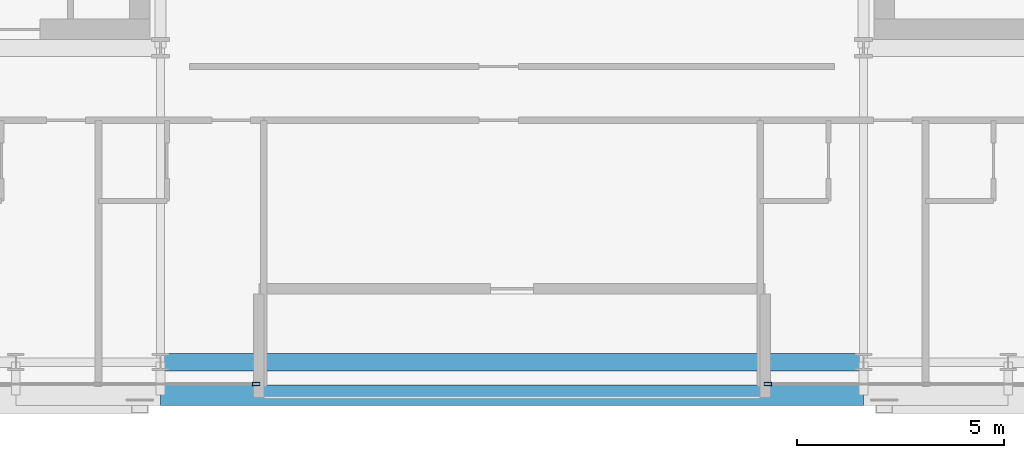
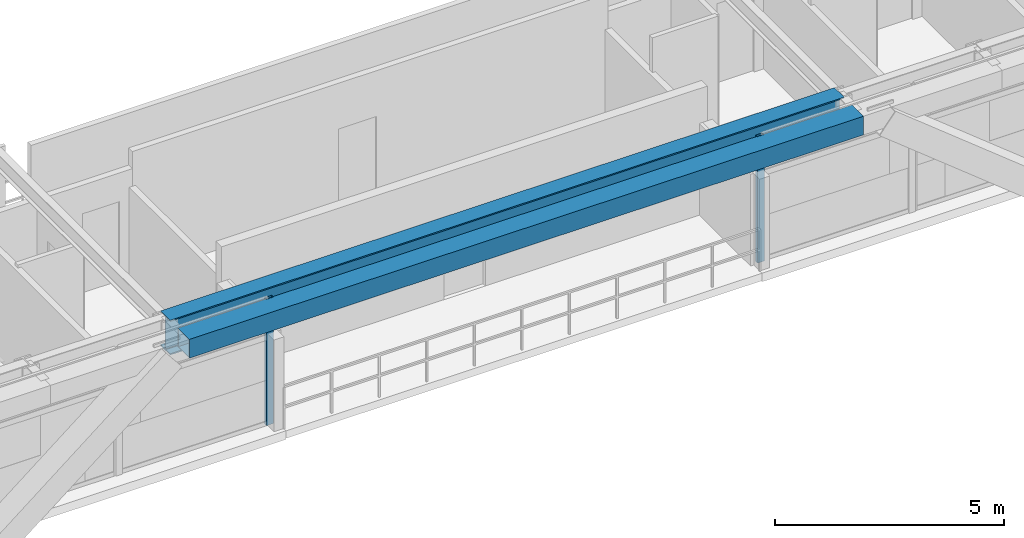
# One storey, part 7 of 38: 2 beams, 2 members, 2 elements without a shape of their own.
"""IFC4 building model written with IfcOpenShell, lengths in metres."""

from ifc_helpers import new_model, si_unit, direction, frame, origin, origin_2d, place, context, subcontext, project, spatial, hollow_rectangle, i_section, extrude, source, transform, mapped, material, layer, layer_set, material_profile, profile_set, type_object, element, aggregate, save


model = new_model("IFC4")

# Units and contexts
model_context = context("Model", 3, precision=1e-05, world=origin(), true_north=direction((0.0, 1.0)))
body_context = subcontext(model_context, "Body", "Model", "MODEL_VIEW")
ifc_project = project(units=[si_unit("LENGTHUNIT", "METRE"), si_unit("AREAUNIT", "SQUARE_METRE"), si_unit("VOLUMEUNIT", "CUBIC_METRE"), si_unit("PLANEANGLEUNIT", "RADIAN"), si_unit("MASSUNIT", "GRAM", prefix="KILO")], contexts=[model_context])

# Site, building, storey
site_placement = place(None, origin())
site = spatial("IfcSite", under=ifc_project, at=site_placement, CompositionType="ELEMENT")
building_placement = place(site_placement, origin())
building = spatial("IfcBuilding", under=site, at=building_placement, Name="Ocotamira Hotel", CompositionType="ELEMENT")
storey_placement = place(building_placement, frame((0.0, 0.0, 170.39990234375)))
storey = spatial("IfcBuildingStorey", under=building, at=storey_placement, Name="L42", CompositionType="ELEMENT", Elevation=170.39990234375)

# Beams
ifc_material_1 = material(Name="Steel ASTM A992 Grade 50", Category="steel")
ifc_material_profile_1 = material_profile(ifc_material_1, i_section(OverallWidth=0.41796875, OverallDepth=0.927001953125, WebThickness=0.019287109375, FlangeThickness=0.031982421875, FilletRadius=0.02392578125, at=origin_2d()), Name="W36X231")
ifc_profile_set_1 = profile_set([ifc_material_profile_1], Name="Steel ASTM A992 Grade 50")
beam_type_1 = type_object("IfcBeamType", Name="BM-GIRD-W36X231", PredefinedType="BEAM", material=ifc_profile_set_1)
shared_shape_1 = source(origin(), body_context, "Body", "SweptSolid", [
    extrude(i_section(OverallWidth=0.41796875, OverallDepth=0.927001953125, WebThickness=0.019287109375, FlangeThickness=0.031982421875, FilletRadius=0.02392578125, at=origin_2d()), origin(), (0.0, 0.0, 1.0), 17.0),
])
beam_1_placement = place(storey_placement, frame((23.5, 6.949951171875, 2.906494140625), z_axis=(1.0, 0.0, 0.0), x_axis=(0.0, 1.0, 0.0)))
element("IfcBeam", 1, at=beam_1_placement, inside=storey, type_object=beam_type_1, Name="L42 Girder Y6.95 X23.5-40.5", PredefinedType="BEAM", context=body_context, shape_type="MappedRepresentation", body=[
    mapped(shared_shape_1, transform((0.0, 0.0, 0.0), scale=1.0)),
])
ifc_material_2 = material(Name="Steel ASTM A500 Grade C", Category="steel")
ifc_material_profile_2 = material_profile(ifc_material_2, hollow_rectangle(XDim=0.5, YDim=0.5, WallThickness=0.02001953125, at=origin_2d()), Name="HSS500X500X20")
ifc_profile_set_2 = profile_set([ifc_material_profile_2], Name="Steel ASTM A500 Grade C")
beam_type_2 = type_object("IfcBeamType", Name="BM-SPAN-HSS500", PredefinedType="USERDEFINED", material=ifc_profile_set_2)
shared_shape_2 = source(origin(), body_context, "Body", "SweptSolid", [
    extrude(hollow_rectangle(XDim=0.5, YDim=0.5, WallThickness=0.02001953125, at=origin_2d()), origin(), (0.0, 0.0, 1.0), 17.0),
])
beam_2_placement = place(storey_placement, frame((23.5, 6.14990234375, 3.1201171875), z_axis=(1.0, 0.0, 0.0), x_axis=(0.0, 1.0, 0.0)))
element("IfcBeam", 2, at=beam_2_placement, inside=storey, type_object=beam_type_2, Name="L42 Edge Spandrel S X23.5-40.5", ObjectType="SPANDREL", PredefinedType="USERDEFINED", context=body_context, shape_type="MappedRepresentation", body=[
    mapped(shared_shape_2, transform((0.0, 0.0, 0.0), scale=1.0)),
])

# Curtain wall, member
ifc_material_3 = material(Name="Anodised pale-metal aluminium and solar glass", Category="aluminium")
ifc_layer = layer(ifc_material_3, 0.199951171875)
ifc_layer_set = layer_set([ifc_layer], Name="Anodised pale-metal aluminium and solar glass")
curtain_wall_type = type_object("IfcCurtainWallType", Name="CW-SYS4-Z3", PredefinedType="NOTDEFINED", material=ifc_layer_set)
curtain_wall_1_placement = place(storey_placement, origin())
curtain_wall_1 = element("IfcCurtainWall", 3, at=curtain_wall_1_placement, inside=storey, type_object=curtain_wall_type, Name="L42 Curtain Wall CW-4 CW-L42-S1", PredefinedType="NOTDEFINED")
ifc_material_4 = material(Name="Anodised pale-metal aluminium 6063-T6", Category="aluminium")
ifc_material_profile_3 = material_profile(ifc_material_4, hollow_rectangle(XDim=0.080078125, YDim=0.179931640625, WallThickness=0.006103515625, at=origin_2d()), Name="HSS180X80X6")
ifc_profile_set_3 = profile_set([ifc_material_profile_3], Name="Anodised pale-metal aluminium 6063-T6")
member_type = type_object("IfcMemberType", Name="CWM-180X75", PredefinedType="MULLION", material=ifc_profile_set_3)
shared_shape_3 = source(origin(), body_context, "Body", "SweptSolid", [
    extrude(hollow_rectangle(XDim=0.080078125, YDim=0.179931640625, WallThickness=0.006103515625, at=origin_2d()), origin(), (0.0, 0.0, 1.0), 3.3701171875),
])
member_1_placement = place(storey_placement, frame((25.81005859375, 6.419921875, 0.0), z_axis=(0.0, 0.0, 1.0), x_axis=(0.0, 1.0, 0.0)))
member_1 = element("IfcMember", 4, at=member_1_placement, type_object=member_type, Name="CW-4 mullion 4", PredefinedType="MULLION", context=body_context, shape_type="MappedRepresentation", body=[
    mapped(shared_shape_3, transform((0.0, 0.0, 0.0), scale=1.0)),
])
aggregate(curtain_wall_1, [member_1])

curtain_wall_2_placement = place(storey_placement, origin())
curtain_wall_2 = element("IfcCurtainWall", 5, at=curtain_wall_2_placement, inside=storey, type_object=curtain_wall_type, Name="L42 Curtain Wall CW-4 CW-L42-S2", PredefinedType="NOTDEFINED")
member_2_placement = place(storey_placement, frame((38.18994140625, 6.419921875, 0.0), z_axis=(0.0, 0.0, 1.0), x_axis=(0.0, 1.0, 0.0)))
member_2 = element("IfcMember", 6, at=member_2_placement, type_object=member_type, Name="CW-4 mullion 1", PredefinedType="MULLION", context=body_context, shape_type="MappedRepresentation", body=[
    mapped(shared_shape_3, transform((0.0, 0.0, 0.0), scale=1.0)),
])
aggregate(curtain_wall_2, [member_2])

save(model, "model.ifc")
